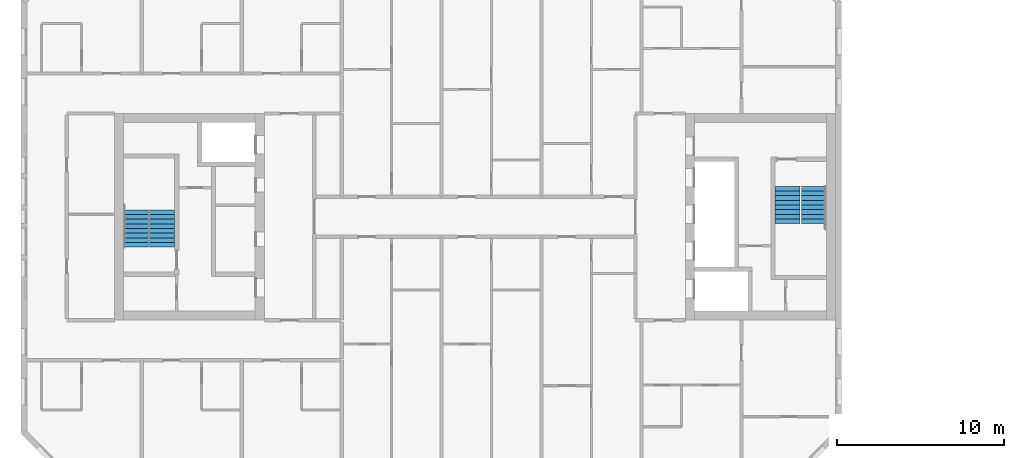
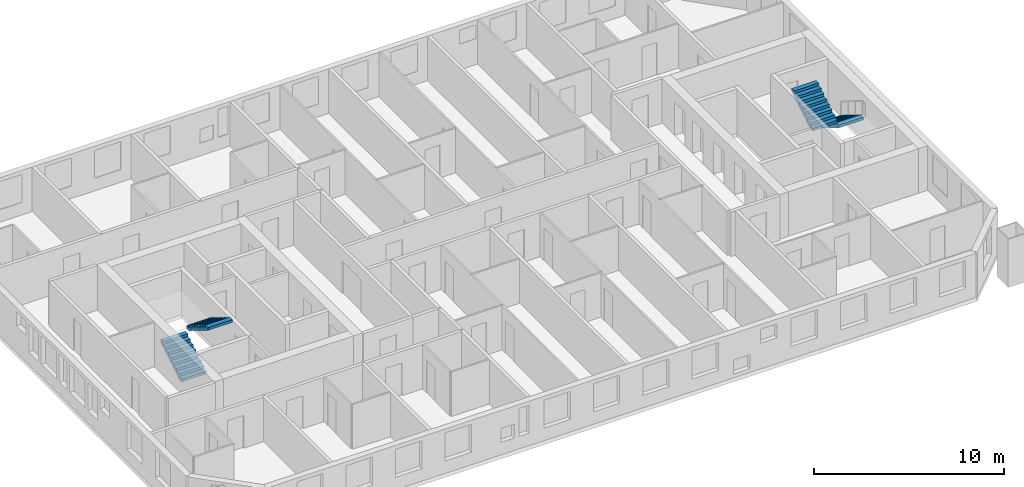
# One storey, part 15 of 16: 4 stair flights, 2 elements without a shape of their own.
"""IFC4 building model written with IfcOpenShell, lengths in metres."""

from ifc_helpers import new_model, si_unit, direction, frame, origin, place, context, subcontext, project, spatial, faceted_brep, material, type_object, element, aggregate, save


model = new_model("IFC4")

# Units and contexts
model_context = context("Model", 3, precision=1e-05, world=origin(), true_north=direction((0.0, 1.0)))
body_context = subcontext(model_context, "Body", "Model", "MODEL_VIEW")
ifc_project = project(units=[si_unit("LENGTHUNIT", "METRE"), si_unit("AREAUNIT", "SQUARE_METRE"), si_unit("VOLUMEUNIT", "CUBIC_METRE"), si_unit("PLANEANGLEUNIT", "RADIAN"), si_unit("MASSUNIT", "GRAM", prefix="KILO")], contexts=[model_context])

# Site, building, storey
site_placement = place(None, origin())
site = spatial("IfcSite", under=ifc_project, at=site_placement, CompositionType="ELEMENT")
building_placement = place(site_placement, origin())
building = spatial("IfcBuilding", under=site, at=building_placement, Name="Tuart Gate Housing", CompositionType="ELEMENT")
storey_placement = place(building_placement, frame((0.0, 0.0, 133.0)))
storey = spatial("IfcBuildingStorey", under=building, at=storey_placement, Name="L37", CompositionType="ELEMENT", Elevation=133.0)

# Stair, stair flights
ifc_material_1 = material(Name="Concrete C40", Category="concrete")
stair_type = type_object("IfcStairType", Name="Core stair 1500", PredefinedType="HALF_TURN_STAIR", material=ifc_material_1)
stair_1_placement = place(storey_placement, origin())
stair_1 = element("IfcStair", 1, at=stair_1_placement, inside=storey, type_object=stair_type, Name="Stair SA1", PredefinedType="HALF_TURN_STAIR")
ifc_material_2 = material(Name="Concrete C40", Category="concrete")
stair_flight_type = type_object("IfcStairFlightType", Name="Stair flight 1500, 9 risers 172 x 280", PredefinedType="STRAIGHT", material=ifc_material_2)
stair_flight_1_placement = place(storey_placement, frame((74.340087890625, 71.824951171875, 0.0), z_axis=(0.0, 0.0, 1.0), x_axis=(0.0, -1.0, 0.0)))
stair_flight_1 = element("IfcStairFlight", 2, at=stair_flight_1_placement, type_object=stair_flight_type, Name="SA1 flight 1", NumberOfRisers=9, NumberOfTreads=8, PredefinedType="STRAIGHT", RiserHeight=0.172222222, TreadLength=0.28, context=body_context, shape_type="Brep", body=[
    faceted_brep([(0.0, 0.75, 0.0), (0.0, 0.75, 0.172119140625), (0.280029296875, 0.75, 0.172119140625), (0.280029296875, 0.75, 0.344482421875), (0.56005859375, 0.75, 0.344482421875), (0.56005859375, 0.75, 0.5166015625), (0.840087890625, 0.75, 0.5166015625), (0.840087890625, 0.75, 0.68896484375), (1.1201171875, 0.75, 0.68896484375), (1.1201171875, 0.75, 0.861083984375), (1.39990234375, 0.75, 0.861083984375), (1.39990234375, 0.75, 1.033447265625), (1.679931640625, 0.75, 1.033447265625), (1.679931640625, 0.75, 1.20556640625), (1.9599609375, 0.75, 1.20556640625), (1.9599609375, 0.75, 1.377685546875), (2.239990234375, 0.75, 1.377685546875), (2.239990234375, 0.75, 1.201904296875), (0.2861328125, 0.75, 0.0), (0.2861328125, -0.75, 0.0), (2.239990234375, -0.75, 1.201904296875), (2.239990234375, -0.75, 1.377685546875), (1.9599609375, -0.75, 1.377685546875), (1.9599609375, -0.75, 1.20556640625), (1.679931640625, -0.75, 1.20556640625), (1.679931640625, -0.75, 1.033447265625), (1.39990234375, -0.75, 1.033447265625), (1.39990234375, -0.75, 0.861083984375), (1.1201171875, -0.75, 0.861083984375), (1.1201171875, -0.75, 0.68896484375), (0.840087890625, -0.75, 0.68896484375), (0.840087890625, -0.75, 0.5166015625), (0.56005859375, -0.75, 0.5166015625), (0.56005859375, -0.75, 0.344482421875), (0.280029296875, -0.75, 0.344482421875), (0.280029296875, -0.75, 0.172119140625), (0.0, -0.75, 0.172119140625), (0.0, -0.75, 0.0), (2.239990234375, 0.0, 1.201904296875), (0.2861328125, 0.0, 0.0), (2.239990234375, 0.0, 1.377685546875), (1.9599609375, 0.0, 1.377685546875), (1.9599609375, 0.0, 1.20556640625), (1.679931640625, 0.0, 1.20556640625), (1.679931640625, 0.0, 1.033447265625), (1.39990234375, 0.0, 1.033447265625), (1.39990234375, 0.0, 0.861083984375), (1.1201171875, 0.0, 0.861083984375), (1.1201171875, 0.0, 0.68896484375), (0.840087890625, 0.0, 0.68896484375), (0.840087890625, 0.0, 0.5166015625), (0.56005859375, 0.0, 0.5166015625), (0.56005859375, 0.0, 0.344482421875), (0.280029296875, 0.0, 0.344482421875), (0.280029296875, 0.0, 0.172119140625), (0.0, 0.0, 0.172119140625), (0.0, 0.0, 0.0)], [[[0, 1, 2, 3, 4, 5, 6, 7, 8, 9, 10, 11, 12, 13, 14, 15, 16, 17, 18]], [[19, 20, 21, 22, 23, 24, 25, 26, 27, 28, 29, 30, 31, 32, 33, 34, 35, 36, 37]], [[18, 17, 38, 39]], [[39, 38, 20, 19]], [[17, 16, 40, 38]], [[38, 40, 21, 20]], [[16, 15, 41, 40]], [[40, 41, 22, 21]], [[15, 14, 42, 41]], [[41, 42, 23, 22]], [[14, 13, 43, 42]], [[42, 43, 24, 23]], [[13, 12, 44, 43]], [[43, 44, 25, 24]], [[12, 11, 45, 44]], [[44, 45, 26, 25]], [[11, 10, 46, 45]], [[45, 46, 27, 26]], [[10, 9, 47, 46]], [[46, 47, 28, 27]], [[9, 8, 48, 47]], [[47, 48, 29, 28]], [[8, 7, 49, 48]], [[48, 49, 30, 29]], [[7, 6, 50, 49]], [[49, 50, 31, 30]], [[6, 5, 51, 50]], [[50, 51, 32, 31]], [[5, 4, 52, 51]], [[51, 52, 33, 32]], [[4, 3, 53, 52]], [[52, 53, 34, 33]], [[3, 2, 54, 53]], [[53, 54, 35, 34]], [[2, 1, 55, 54]], [[54, 55, 36, 35]], [[1, 0, 56, 55]], [[55, 56, 37, 36]], [[0, 18, 39, 56]], [[56, 39, 19, 37]]]),
])
stair_flight_2_placement = place(storey_placement, frame((72.764892578125, 69.5849609375, 1.550048828125), z_axis=(0.0, 0.0, 1.0), x_axis=(0.0, 1.0, 0.0)))
stair_flight_2 = element("IfcStairFlight", 3, at=stair_flight_2_placement, type_object=stair_flight_type, Name="SA1 flight 2", NumberOfRisers=9, NumberOfTreads=8, PredefinedType="STRAIGHT", RiserHeight=0.172222222, TreadLength=0.28, context=body_context, shape_type="Brep", body=[
    faceted_brep([(0.0, 0.75, 0.0), (0.0, 0.75, 0.172119140625), (0.280029296875, 0.75, 0.172119140625), (0.280029296875, 0.75, 0.344482421875), (0.56005859375, 0.75, 0.344482421875), (0.56005859375, 0.75, 0.5166015625), (0.840087890625, 0.75, 0.5166015625), (0.840087890625, 0.75, 0.68896484375), (1.1201171875, 0.75, 0.68896484375), (1.1201171875, 0.75, 0.861083984375), (1.39990234375, 0.75, 0.861083984375), (1.39990234375, 0.75, 1.033447265625), (1.679931640625, 0.75, 1.033447265625), (1.679931640625, 0.75, 1.20556640625), (1.9599609375, 0.75, 1.20556640625), (1.9599609375, 0.75, 1.377685546875), (2.239990234375, 0.75, 1.377685546875), (2.239990234375, 0.75, 1.201904296875), (0.2861328125, 0.75, 0.0), (0.2861328125, -0.75, 0.0), (2.239990234375, -0.75, 1.201904296875), (2.239990234375, -0.75, 1.377685546875), (1.9599609375, -0.75, 1.377685546875), (1.9599609375, -0.75, 1.20556640625), (1.679931640625, -0.75, 1.20556640625), (1.679931640625, -0.75, 1.033447265625), (1.39990234375, -0.75, 1.033447265625), (1.39990234375, -0.75, 0.861083984375), (1.1201171875, -0.75, 0.861083984375), (1.1201171875, -0.75, 0.68896484375), (0.840087890625, -0.75, 0.68896484375), (0.840087890625, -0.75, 0.5166015625), (0.56005859375, -0.75, 0.5166015625), (0.56005859375, -0.75, 0.344482421875), (0.280029296875, -0.75, 0.344482421875), (0.280029296875, -0.75, 0.172119140625), (0.0, -0.75, 0.172119140625), (0.0, -0.75, 0.0), (2.239990234375, 0.0, 1.201904296875), (0.2861328125, 0.0, 0.0), (2.239990234375, 0.0, 1.377685546875), (1.9599609375, 0.0, 1.377685546875), (1.9599609375, 0.0, 1.20556640625), (1.679931640625, 0.0, 1.20556640625), (1.679931640625, 0.0, 1.033447265625), (1.39990234375, 0.0, 1.033447265625), (1.39990234375, 0.0, 0.861083984375), (1.1201171875, 0.0, 0.861083984375), (1.1201171875, 0.0, 0.68896484375), (0.840087890625, 0.0, 0.68896484375), (0.840087890625, 0.0, 0.5166015625), (0.56005859375, 0.0, 0.5166015625), (0.56005859375, 0.0, 0.344482421875), (0.280029296875, 0.0, 0.344482421875), (0.280029296875, 0.0, 0.172119140625), (0.0, 0.0, 0.172119140625), (0.0, 0.0, 0.0)], [[[0, 1, 2, 3, 4, 5, 6, 7, 8, 9, 10, 11, 12, 13, 14, 15, 16, 17, 18]], [[19, 20, 21, 22, 23, 24, 25, 26, 27, 28, 29, 30, 31, 32, 33, 34, 35, 36, 37]], [[18, 17, 38, 39]], [[39, 38, 20, 19]], [[17, 16, 40, 38]], [[38, 40, 21, 20]], [[16, 15, 41, 40]], [[40, 41, 22, 21]], [[15, 14, 42, 41]], [[41, 42, 23, 22]], [[14, 13, 43, 42]], [[42, 43, 24, 23]], [[13, 12, 44, 43]], [[43, 44, 25, 24]], [[12, 11, 45, 44]], [[44, 45, 26, 25]], [[11, 10, 46, 45]], [[45, 46, 27, 26]], [[10, 9, 47, 46]], [[46, 47, 28, 27]], [[9, 8, 48, 47]], [[47, 48, 29, 28]], [[8, 7, 49, 48]], [[48, 49, 30, 29]], [[7, 6, 50, 49]], [[49, 50, 31, 30]], [[6, 5, 51, 50]], [[50, 51, 32, 31]], [[5, 4, 52, 51]], [[51, 52, 33, 32]], [[4, 3, 53, 52]], [[52, 53, 34, 33]], [[3, 2, 54, 53]], [[53, 54, 35, 34]], [[2, 1, 55, 54]], [[54, 55, 36, 35]], [[1, 0, 56, 55]], [[55, 56, 37, 36]], [[0, 18, 39, 56]], [[56, 39, 19, 37]]]),
])
aggregate(stair_1, [stair_flight_1, stair_flight_2])

stair_2_placement = place(storey_placement, origin())
stair_2 = element("IfcStair", 4, at=stair_2_placement, inside=storey, type_object=stair_type, Name="Stair SA2", PredefinedType="HALF_TURN_STAIR")
stair_flight_3_placement = place(storey_placement, frame((33.659912109375, 68.175048828125, 0.0), z_axis=(0.0, 0.0, 1.0), x_axis=(0.0, 1.0, 0.0)))
stair_flight_3 = element("IfcStairFlight", 5, at=stair_flight_3_placement, type_object=stair_flight_type, Name="SA2 flight 1", NumberOfRisers=9, NumberOfTreads=8, PredefinedType="STRAIGHT", RiserHeight=0.172222222, TreadLength=0.28, context=body_context, shape_type="Brep", body=[
    faceted_brep([(0.0, 0.75, 0.0), (0.0, 0.75, 0.172119140625), (0.280029296875, 0.75, 0.172119140625), (0.280029296875, 0.75, 0.344482421875), (0.56005859375, 0.75, 0.344482421875), (0.56005859375, 0.75, 0.5166015625), (0.840087890625, 0.75, 0.5166015625), (0.840087890625, 0.75, 0.68896484375), (1.1201171875, 0.75, 0.68896484375), (1.1201171875, 0.75, 0.861083984375), (1.39990234375, 0.75, 0.861083984375), (1.39990234375, 0.75, 1.033447265625), (1.679931640625, 0.75, 1.033447265625), (1.679931640625, 0.75, 1.20556640625), (1.9599609375, 0.75, 1.20556640625), (1.9599609375, 0.75, 1.377685546875), (2.239990234375, 0.75, 1.377685546875), (2.239990234375, 0.75, 1.201904296875), (0.2861328125, 0.75, 0.0), (0.2861328125, -0.75, 0.0), (2.239990234375, -0.75, 1.201904296875), (2.239990234375, -0.75, 1.377685546875), (1.9599609375, -0.75, 1.377685546875), (1.9599609375, -0.75, 1.20556640625), (1.679931640625, -0.75, 1.20556640625), (1.679931640625, -0.75, 1.033447265625), (1.39990234375, -0.75, 1.033447265625), (1.39990234375, -0.75, 0.861083984375), (1.1201171875, -0.75, 0.861083984375), (1.1201171875, -0.75, 0.68896484375), (0.840087890625, -0.75, 0.68896484375), (0.840087890625, -0.75, 0.5166015625), (0.56005859375, -0.75, 0.5166015625), (0.56005859375, -0.75, 0.344482421875), (0.280029296875, -0.75, 0.344482421875), (0.280029296875, -0.75, 0.172119140625), (0.0, -0.75, 0.172119140625), (0.0, -0.75, 0.0), (2.239990234375, 0.0, 1.201904296875), (0.2861328125, 0.0, 0.0), (2.239990234375, 0.0, 1.377685546875), (1.9599609375, 0.0, 1.377685546875), (1.9599609375, 0.0, 1.20556640625), (1.679931640625, 0.0, 1.20556640625), (1.679931640625, 0.0, 1.033447265625), (1.39990234375, 0.0, 1.033447265625), (1.39990234375, 0.0, 0.861083984375), (1.1201171875, 0.0, 0.861083984375), (1.1201171875, 0.0, 0.68896484375), (0.840087890625, 0.0, 0.68896484375), (0.840087890625, 0.0, 0.5166015625), (0.56005859375, 0.0, 0.5166015625), (0.56005859375, 0.0, 0.344482421875), (0.280029296875, 0.0, 0.344482421875), (0.280029296875, 0.0, 0.172119140625), (0.0, 0.0, 0.172119140625), (0.0, 0.0, 0.0)], [[[0, 1, 2, 3, 4, 5, 6, 7, 8, 9, 10, 11, 12, 13, 14, 15, 16, 17, 18]], [[19, 20, 21, 22, 23, 24, 25, 26, 27, 28, 29, 30, 31, 32, 33, 34, 35, 36, 37]], [[18, 17, 38, 39]], [[39, 38, 20, 19]], [[17, 16, 40, 38]], [[38, 40, 21, 20]], [[16, 15, 41, 40]], [[40, 41, 22, 21]], [[15, 14, 42, 41]], [[41, 42, 23, 22]], [[14, 13, 43, 42]], [[42, 43, 24, 23]], [[13, 12, 44, 43]], [[43, 44, 25, 24]], [[12, 11, 45, 44]], [[44, 45, 26, 25]], [[11, 10, 46, 45]], [[45, 46, 27, 26]], [[10, 9, 47, 46]], [[46, 47, 28, 27]], [[9, 8, 48, 47]], [[47, 48, 29, 28]], [[8, 7, 49, 48]], [[48, 49, 30, 29]], [[7, 6, 50, 49]], [[49, 50, 31, 30]], [[6, 5, 51, 50]], [[50, 51, 32, 31]], [[5, 4, 52, 51]], [[51, 52, 33, 32]], [[4, 3, 53, 52]], [[52, 53, 34, 33]], [[3, 2, 54, 53]], [[53, 54, 35, 34]], [[2, 1, 55, 54]], [[54, 55, 36, 35]], [[1, 0, 56, 55]], [[55, 56, 37, 36]], [[0, 18, 39, 56]], [[56, 39, 19, 37]]]),
])
stair_flight_4_placement = place(storey_placement, frame((35.235107421875, 70.4150390625, 1.550048828125), z_axis=(0.0, 0.0, 1.0), x_axis=(0.0, -1.0, 0.0)))
stair_flight_4 = element("IfcStairFlight", 6, at=stair_flight_4_placement, type_object=stair_flight_type, Name="SA2 flight 2", NumberOfRisers=9, NumberOfTreads=8, PredefinedType="STRAIGHT", RiserHeight=0.172222222, TreadLength=0.28, context=body_context, shape_type="Brep", body=[
    faceted_brep([(0.0, 0.75, 0.0), (0.0, 0.75, 0.172119140625), (0.280029296875, 0.75, 0.172119140625), (0.280029296875, 0.75, 0.344482421875), (0.56005859375, 0.75, 0.344482421875), (0.56005859375, 0.75, 0.5166015625), (0.840087890625, 0.75, 0.5166015625), (0.840087890625, 0.75, 0.68896484375), (1.1201171875, 0.75, 0.68896484375), (1.1201171875, 0.75, 0.861083984375), (1.39990234375, 0.75, 0.861083984375), (1.39990234375, 0.75, 1.033447265625), (1.679931640625, 0.75, 1.033447265625), (1.679931640625, 0.75, 1.20556640625), (1.9599609375, 0.75, 1.20556640625), (1.9599609375, 0.75, 1.377685546875), (2.239990234375, 0.75, 1.377685546875), (2.239990234375, 0.75, 1.201904296875), (0.2861328125, 0.75, 0.0), (0.2861328125, -0.75, 0.0), (2.239990234375, -0.75, 1.201904296875), (2.239990234375, -0.75, 1.377685546875), (1.9599609375, -0.75, 1.377685546875), (1.9599609375, -0.75, 1.20556640625), (1.679931640625, -0.75, 1.20556640625), (1.679931640625, -0.75, 1.033447265625), (1.39990234375, -0.75, 1.033447265625), (1.39990234375, -0.75, 0.861083984375), (1.1201171875, -0.75, 0.861083984375), (1.1201171875, -0.75, 0.68896484375), (0.840087890625, -0.75, 0.68896484375), (0.840087890625, -0.75, 0.5166015625), (0.56005859375, -0.75, 0.5166015625), (0.56005859375, -0.75, 0.344482421875), (0.280029296875, -0.75, 0.344482421875), (0.280029296875, -0.75, 0.172119140625), (0.0, -0.75, 0.172119140625), (0.0, -0.75, 0.0), (2.239990234375, 0.0, 1.201904296875), (0.2861328125, 0.0, 0.0), (2.239990234375, 0.0, 1.377685546875), (1.9599609375, 0.0, 1.377685546875), (1.9599609375, 0.0, 1.20556640625), (1.679931640625, 0.0, 1.20556640625), (1.679931640625, 0.0, 1.033447265625), (1.39990234375, 0.0, 1.033447265625), (1.39990234375, 0.0, 0.861083984375), (1.1201171875, 0.0, 0.861083984375), (1.1201171875, 0.0, 0.68896484375), (0.840087890625, 0.0, 0.68896484375), (0.840087890625, 0.0, 0.5166015625), (0.56005859375, 0.0, 0.5166015625), (0.56005859375, 0.0, 0.344482421875), (0.280029296875, 0.0, 0.344482421875), (0.280029296875, 0.0, 0.172119140625), (0.0, 0.0, 0.172119140625), (0.0, 0.0, 0.0)], [[[0, 1, 2, 3, 4, 5, 6, 7, 8, 9, 10, 11, 12, 13, 14, 15, 16, 17, 18]], [[19, 20, 21, 22, 23, 24, 25, 26, 27, 28, 29, 30, 31, 32, 33, 34, 35, 36, 37]], [[18, 17, 38, 39]], [[39, 38, 20, 19]], [[17, 16, 40, 38]], [[38, 40, 21, 20]], [[16, 15, 41, 40]], [[40, 41, 22, 21]], [[15, 14, 42, 41]], [[41, 42, 23, 22]], [[14, 13, 43, 42]], [[42, 43, 24, 23]], [[13, 12, 44, 43]], [[43, 44, 25, 24]], [[12, 11, 45, 44]], [[44, 45, 26, 25]], [[11, 10, 46, 45]], [[45, 46, 27, 26]], [[10, 9, 47, 46]], [[46, 47, 28, 27]], [[9, 8, 48, 47]], [[47, 48, 29, 28]], [[8, 7, 49, 48]], [[48, 49, 30, 29]], [[7, 6, 50, 49]], [[49, 50, 31, 30]], [[6, 5, 51, 50]], [[50, 51, 32, 31]], [[5, 4, 52, 51]], [[51, 52, 33, 32]], [[4, 3, 53, 52]], [[52, 53, 34, 33]], [[3, 2, 54, 53]], [[53, 54, 35, 34]], [[2, 1, 55, 54]], [[54, 55, 36, 35]], [[1, 0, 56, 55]], [[55, 56, 37, 36]], [[0, 18, 39, 56]], [[56, 39, 19, 37]]]),
])
aggregate(stair_2, [stair_flight_3, stair_flight_4])

save(model, "model.ifc")
